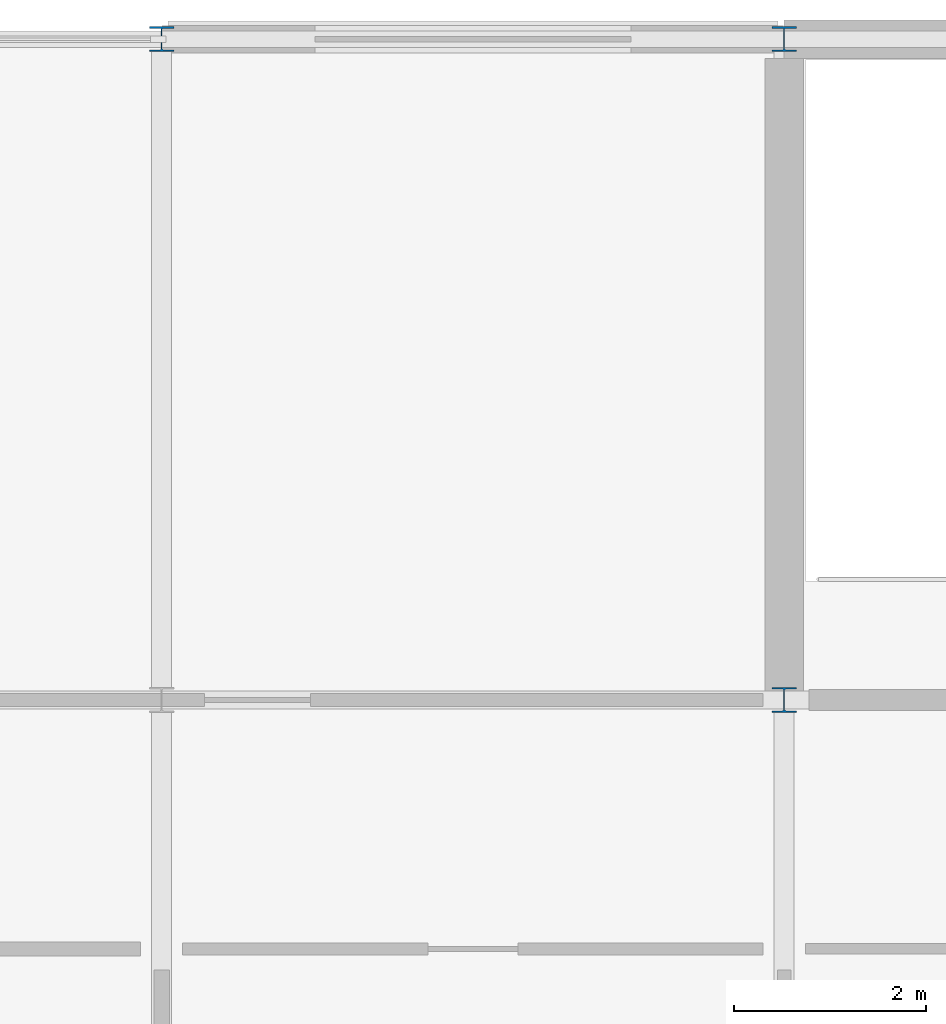
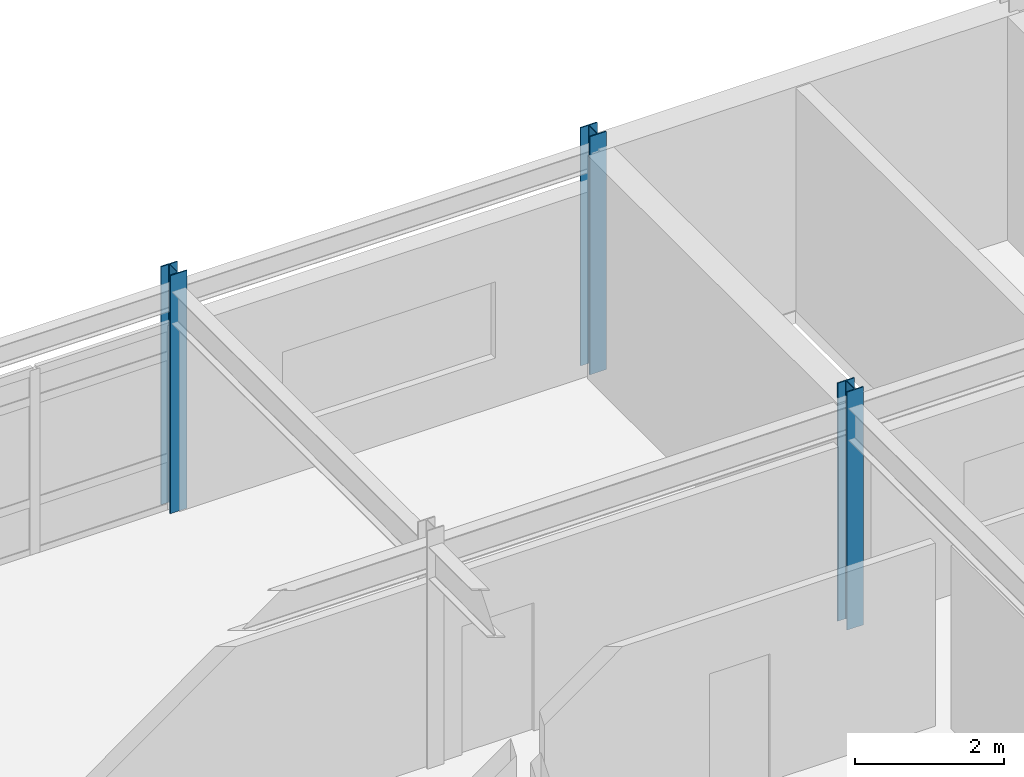
# One storey, part 10 of 57: 3 columns.
"""IFC4 building model written with IfcOpenShell, lengths in metres."""

from ifc_helpers import new_model, si_unit, direction, frame, origin, origin_2d, place, context, subcontext, project, spatial, i_section, extrude, material, material_profile, profile_set, type_object, element, save


model = new_model("IFC4")

# Units and contexts
model_context = context("Model", 3, precision=1e-05, world=origin(), true_north=direction((0.0, 1.0)))
body_context = subcontext(model_context, "Body", "Model", "MODEL_VIEW")
ifc_project = project(units=[si_unit("LENGTHUNIT", "METRE"), si_unit("AREAUNIT", "SQUARE_METRE"), si_unit("VOLUMEUNIT", "CUBIC_METRE"), si_unit("PLANEANGLEUNIT", "RADIAN"), si_unit("MASSUNIT", "GRAM", prefix="KILO")], contexts=[model_context])

# Site, building, storey
site_placement = place(None, origin())
site = spatial("IfcSite", under=ifc_project, at=site_placement, CompositionType="ELEMENT")
building_placement = place(site_placement, origin())
building = spatial("IfcBuilding", under=site, at=building_placement, Name="Trelmorton Wharf Fire Station", CompositionType="ELEMENT")
storey_placement = place(building_placement, frame((0.0, 0.0, 13.5)))
storey = spatial("IfcBuildingStorey", under=building, at=storey_placement, Name="L03", CompositionType="ELEMENT", Elevation=13.5)

# Columns
ifc_material = material(Name="Steel Grade 350", Category="steel")
ifc_material_profile = material_profile(ifc_material, i_section(OverallWidth=0.256103515625, OverallDepth=0.260009765625, WebThickness=0.010498046875, FlangeThickness=0.017333984375, FilletRadius=0.0126953125, at=origin_2d()), Name="250UC89.5")
ifc_profile_set = profile_set([ifc_material_profile], Name="Steel Grade 350")
column_type = type_object("IfcColumnType", Name="COL_250UC89", PredefinedType="COLUMN", material=ifc_profile_set)
for number, where, z_axis, x_axis, name in (
    (1, (136.5, 81.0, 0.0), (0.0, 0.0, 1.0), (1.0, 0.0, 0.0), "COL-L03-0663"),
    (2, (143.0, 74.10009765625, 0.0), (0.0, 0.0, 1.0), (1.0, 0.0, 0.0), "COL-L03-0670"),
    (3, (143.0, 81.0, 0.0), (0.0, 0.0, 1.0), (1.0, 0.0, 0.0), "COL-L03-0671"),
):
    element("IfcColumn", number, at=place(storey_placement, frame(where, z_axis=z_axis, x_axis=x_axis)), inside=storey, type_object=column_type, Name=name, PredefinedType="COLUMN", context=body_context, shape_type="SweptSolid", body=[
        extrude(i_section(OverallWidth=0.256103515625, OverallDepth=0.260009765625, WebThickness=0.010498046875, FlangeThickness=0.017333984375, FilletRadius=0.0126953125, at=origin_2d()), origin(), (0.0, 0.0, 1.0), 3.89990234375),
    ])

save(model, "model.ifc")
